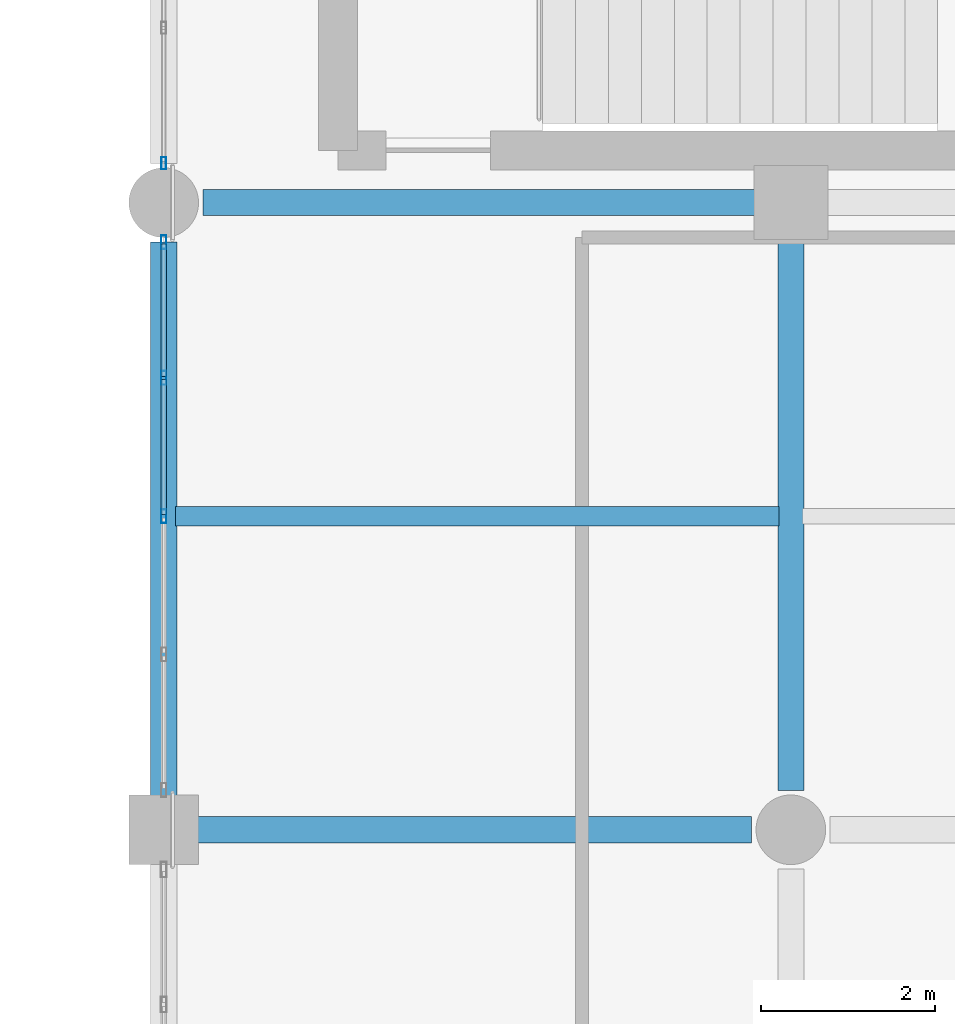
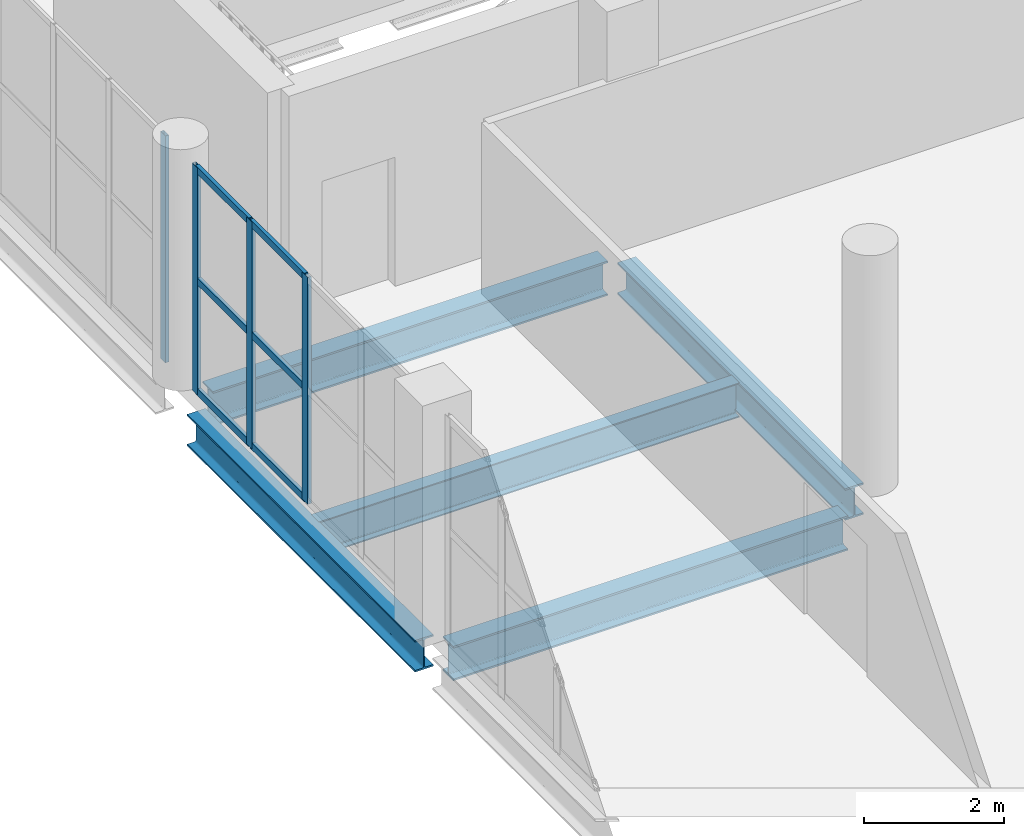
# One storey, part 80 of 153: 10 members, 5 beams, 2 elements without a shape of their own.
"""IFC4 building model written with IfcOpenShell, lengths in metres."""

from ifc_helpers import new_model, si_unit, direction, frame, origin, origin_2d, place, context, subcontext, project, spatial, hollow_rectangle, i_section, extrude, material, material_profile, profile_set, type_object, element, aggregate, save


model = new_model("IFC4")

# Units and contexts
model_context = context("Model", 3, precision=1e-05, world=origin(), true_north=direction((0.0, 1.0)))
body_context = subcontext(model_context, "Body", "Model", "MODEL_VIEW")
ifc_project = project(units=[si_unit("LENGTHUNIT", "METRE"), si_unit("AREAUNIT", "SQUARE_METRE"), si_unit("VOLUMEUNIT", "CUBIC_METRE"), si_unit("PLANEANGLEUNIT", "RADIAN"), si_unit("MASSUNIT", "GRAM", prefix="KILO")], contexts=[model_context])

# Site, building, storey
site_placement = place(None, origin())
site = spatial("IfcSite", under=ifc_project, at=site_placement, CompositionType="ELEMENT")
building_placement = place(site_placement, origin())
building = spatial("IfcBuilding", under=site, at=building_placement, Name="Qandorah Velis Arena", CompositionType="ELEMENT")
storey_placement = place(building_placement, frame((0.0, 0.0, 5.39990234375)))
storey = spatial("IfcBuildingStorey", under=building, at=storey_placement, Name="L01", CompositionType="ELEMENT", Elevation=5.39990234375)

# Curtain wall, member
ifc_material_1 = material(Name="Solar-control low-E double glazing", Category="glass")
curtain_wall_type_1 = type_object("IfcCurtainWallType", Name="ARC-CW-SYS04", PredefinedType="USERDEFINED", material=ifc_material_1)
curtain_wall_1_placement = place(storey_placement, origin())
curtain_wall_1 = element("IfcCurtainWall", 1, at=curtain_wall_1_placement, inside=storey, type_object=curtain_wall_type_1, Name="Unitised curtain wall L01-124", ObjectType="UNITISED CURTAIN WALL", PredefinedType="USERDEFINED")
ifc_material_2 = material(Name="Champagne-bronze anodized aluminium 6063-T6", Category="aluminium")
ifc_material_profile_1 = material_profile(ifc_material_2, hollow_rectangle(XDim=0.054931640625, YDim=0.139892578125, WallThickness=0.0029296875, at=origin_2d()), Name="ALU MULLION 55x140")
ifc_profile_set_1 = profile_set([ifc_material_profile_1], Name="Champagne-bronze anodized aluminium 6063-T6")
member_type_1 = type_object("IfcMemberType", Name="ARC-CWM-140", PredefinedType="MULLION", material=ifc_profile_set_1)
member_1_placement = place(storey_placement, frame((151.199951171875, 79.652587890625, -0.014892578125), z_axis=(0.0, 0.0, 1.0), x_axis=(-1.0, 0.0, 0.0)))
member_1 = element("IfcMember", 2, at=member_1_placement, type_object=member_type_1, Name="CW04 mullion 1", PredefinedType="MULLION", context=body_context, shape_type="SweptSolid", body=[
    extrude(hollow_rectangle(XDim=0.054931640625, YDim=0.139892578125, WallThickness=0.0029296875, at=origin_2d()), origin(), (0.0, 0.0, 1.0), 3.949951171875),
])
aggregate(curtain_wall_1, [member_1])

# Curtain wall, members
curtain_wall_type_2 = type_object("IfcCurtainWallType", Name="ARC-CW-SYS03", PredefinedType="USERDEFINED", material=ifc_material_1)
curtain_wall_2_placement = place(storey_placement, origin())
curtain_wall_2 = element("IfcCurtainWall", 3, at=curtain_wall_2_placement, inside=storey, type_object=curtain_wall_type_2, Name="Unitised curtain wall L01-123", ObjectType="UNITISED CURTAIN WALL", PredefinedType="USERDEFINED")
ifc_material_profile_2 = material_profile(ifc_material_2, hollow_rectangle(XDim=0.06005859375, YDim=0.159912109375, WallThickness=0.00341796875, at=origin_2d()), Name="ALU MULLION 60x160")
ifc_profile_set_2 = profile_set([ifc_material_profile_2], Name="Champagne-bronze anodized aluminium 6063-T6")
member_type_2 = type_object("IfcMemberType", Name="ARC-CWM-160", PredefinedType="MULLION", material=ifc_profile_set_2)
member_2_placement = place(storey_placement, frame((151.199951171875, 75.60009765625, -0.014892578125), z_axis=(0.0, 0.0, 1.0), x_axis=(-1.0, 0.0, 0.0)))
member_2 = element("IfcMember", 4, at=member_2_placement, type_object=member_type_2, Name="CW03 mullion 3", PredefinedType="MULLION", context=body_context, shape_type="SweptSolid", body=[
    extrude(hollow_rectangle(XDim=0.06005859375, YDim=0.159912109375, WallThickness=0.00341796875, at=origin_2d()), origin(), (0.0, 0.0, 1.0), 3.949951171875),
])
member_3_placement = place(storey_placement, frame((151.199951171875, 77.1875, -0.014892578125), z_axis=(0.0, 0.0, 1.0), x_axis=(-1.0, 0.0, 0.0)))
member_3 = element("IfcMember", 5, at=member_3_placement, type_object=member_type_2, Name="CW03 mullion 4", PredefinedType="MULLION", context=body_context, shape_type="SweptSolid", body=[
    extrude(hollow_rectangle(XDim=0.06005859375, YDim=0.159912109375, WallThickness=0.00341796875, at=origin_2d()), origin(), (0.0, 0.0, 1.0), 3.949951171875),
])
member_4_placement = place(storey_placement, frame((151.199951171875, 78.7451171875, -0.014892578125), z_axis=(0.0, 0.0, 1.0), x_axis=(-1.0, 0.0, 0.0)))
member_4 = element("IfcMember", 6, at=member_4_placement, type_object=member_type_2, Name="CW03 mullion 5", PredefinedType="MULLION", context=body_context, shape_type="SweptSolid", body=[
    extrude(hollow_rectangle(XDim=0.06005859375, YDim=0.159912109375, WallThickness=0.00341796875, at=origin_2d()), origin(), (0.0, 0.0, 1.0), 3.949951171875),
])
ifc_material_profile_3 = material_profile(ifc_material_2, hollow_rectangle(XDim=0.06005859375, YDim=0.1201171875, WallThickness=0.0029296875, at=origin_2d()), Name="ALU TRANSOM 60x120")
ifc_profile_set_3 = profile_set([ifc_material_profile_3], Name="Champagne-bronze anodized aluminium 6063-T6")
member_type_3 = type_object("IfcMemberType", Name="ARC-CWT-120", PredefinedType="USERDEFINED", material=ifc_profile_set_3)
member_5_placement = place(storey_placement, frame((151.199951171875, 75.617919921875, 0.030029296875), z_axis=(0.0, 1.0, 0.0), x_axis=(-1.0, 0.0, 0.0)))
member_5 = element("IfcMember", 7, at=member_5_placement, type_object=member_type_3, Name="CW03 transom 3.1", ObjectType="TRANSOM", PredefinedType="USERDEFINED", context=body_context, shape_type="SweptSolid", body=[
    extrude(hollow_rectangle(XDim=0.06005859375, YDim=0.1201171875, WallThickness=0.0029296875, at=origin_2d()), origin(), (0.0, 0.0, 1.0), 1.551513671875),
])
member_6_placement = place(storey_placement, frame((151.199951171875, 75.617919921875, 1.960205078125), z_axis=(0.0, 1.0, 0.0), x_axis=(-1.0, 0.0, 0.0)))
member_6 = element("IfcMember", 8, at=member_6_placement, type_object=member_type_3, Name="CW03 transom 3.2", ObjectType="TRANSOM", PredefinedType="USERDEFINED", context=body_context, shape_type="SweptSolid", body=[
    extrude(hollow_rectangle(XDim=0.06005859375, YDim=0.1201171875, WallThickness=0.0029296875, at=origin_2d()), origin(), (0.0, 0.0, 1.0), 1.551513671875),
])
member_7_placement = place(storey_placement, frame((151.199951171875, 75.617919921875, 3.89013671875), z_axis=(0.0, 1.0, 0.0), x_axis=(-1.0, 0.0, 0.0)))
member_7 = element("IfcMember", 9, at=member_7_placement, type_object=member_type_3, Name="CW03 transom 3.3", ObjectType="TRANSOM", PredefinedType="USERDEFINED", context=body_context, shape_type="SweptSolid", body=[
    extrude(hollow_rectangle(XDim=0.06005859375, YDim=0.1201171875, WallThickness=0.0029296875, at=origin_2d()), origin(), (0.0, 0.0, 1.0), 1.551513671875),
])
member_8_placement = place(storey_placement, frame((151.199951171875, 77.20556640625, 0.030029296875), z_axis=(0.0, 1.0, 0.0), x_axis=(-1.0, 0.0, 0.0)))
member_8 = element("IfcMember", 10, at=member_8_placement, type_object=member_type_3, Name="CW03 transom 4.1", ObjectType="TRANSOM", PredefinedType="USERDEFINED", context=body_context, shape_type="SweptSolid", body=[
    extrude(hollow_rectangle(XDim=0.06005859375, YDim=0.1201171875, WallThickness=0.0029296875, at=origin_2d()), origin(), (0.0, 0.0, 1.0), 1.521484375),
])
member_9_placement = place(storey_placement, frame((151.199951171875, 77.20556640625, 1.960205078125), z_axis=(0.0, 1.0, 0.0), x_axis=(-1.0, 0.0, 0.0)))
member_9 = element("IfcMember", 11, at=member_9_placement, type_object=member_type_3, Name="CW03 transom 4.2", ObjectType="TRANSOM", PredefinedType="USERDEFINED", context=body_context, shape_type="SweptSolid", body=[
    extrude(hollow_rectangle(XDim=0.06005859375, YDim=0.1201171875, WallThickness=0.0029296875, at=origin_2d()), origin(), (0.0, 0.0, 1.0), 1.521484375),
])
member_10_placement = place(storey_placement, frame((151.199951171875, 77.20556640625, 3.89013671875), z_axis=(0.0, 1.0, 0.0), x_axis=(-1.0, 0.0, 0.0)))
member_10 = element("IfcMember", 12, at=member_10_placement, type_object=member_type_3, Name="CW03 transom 4.3", ObjectType="TRANSOM", PredefinedType="USERDEFINED", context=body_context, shape_type="SweptSolid", body=[
    extrude(hollow_rectangle(XDim=0.06005859375, YDim=0.1201171875, WallThickness=0.0029296875, at=origin_2d()), origin(), (0.0, 0.0, 1.0), 1.521484375),
])
aggregate(curtain_wall_2, [member_2, member_3, member_4, member_5, member_6, member_7, member_8, member_9, member_10])

# Beams
ifc_material_3 = material(Name="Steel S355", Category="steel")
ifc_material_profile_4 = material_profile(ifc_material_3, i_section(OverallWidth=0.300048828125, OverallDepth=0.550048828125, WebThickness=0.014892578125, FlangeThickness=0.029052734375, FilletRadius=0.027099609375, at=origin_2d()), Name="HEB 550")
ifc_profile_set_4 = profile_set([ifc_material_profile_4], Name="Steel S355")
beam_type_1 = type_object("IfcBeamType", Name="STR-BM-HEB550", PredefinedType="BEAM", material=ifc_profile_set_4)
for number, where, z_axis, x_axis, name in (
    (13, (151.199951171875, 72.25, -0.635009765625), (0.0, 1.0, 0.0), (-1.0, 0.0, 0.0), "Primary floor girder L01 Y-411"),
    (14, (158.39990234375, 72.449951171875, -0.635009765625), (0.0, 1.0, 0.0), (-1.0, 0.0, 0.0), "Primary floor girder L01 Y-415"),
):
    element("IfcBeam", number, at=place(storey_placement, frame(where, z_axis=z_axis, x_axis=x_axis)), inside=storey, type_object=beam_type_1, Name=name, PredefinedType="BEAM", context=body_context, shape_type="SweptSolid", body=[
        extrude(i_section(OverallWidth=0.300048828125, OverallDepth=0.550048828125, WebThickness=0.014892578125, FlangeThickness=0.029052734375, FilletRadius=0.027099609375, at=origin_2d()), origin(), (0.0, 0.0, 1.0), 6.5),
    ])
ifc_material_profile_5 = material_profile(ifc_material_3, i_section(OverallWidth=0.300048828125, OverallDepth=0.60009765625, WebThickness=0.015380859375, FlangeThickness=0.030029296875, FilletRadius=0.027099609375, at=origin_2d()), Name="HEB 600")
ifc_profile_set_5 = profile_set([ifc_material_profile_5], Name="Steel S355")
beam_type_2 = type_object("IfcBeamType", Name="STR-BM-HEB600", PredefinedType="BEAM", material=ifc_profile_set_5)
for number, where, z_axis, x_axis, name in (
    (15, (151.449951171875, 72.0, -0.659912109375), (1.0, 0.0, 0.0), (0.0, 1.0, 0.0), "Primary floor girder L01 X-120"),
    (16, (151.64990234375, 79.199951171875, -0.659912109375), (1.0, 0.0, 0.0), (0.0, 1.0, 0.0), "Primary floor girder L01 X-127"),
):
    element("IfcBeam", number, at=place(storey_placement, frame(where, z_axis=z_axis, x_axis=x_axis)), inside=storey, type_object=beam_type_2, Name=name, PredefinedType="BEAM", context=body_context, shape_type="SweptSolid", body=[
        extrude(i_section(OverallWidth=0.300048828125, OverallDepth=0.60009765625, WebThickness=0.015380859375, FlangeThickness=0.030029296875, FilletRadius=0.027099609375, at=origin_2d()), origin(), (0.0, 0.0, 1.0), 6.5),
    ])
ifc_material_profile_6 = material_profile(ifc_material_3, i_section(OverallWidth=0.219970703125, OverallDepth=0.60009765625, WebThickness=0.011962890625, FlangeThickness=0.01904296875, FilletRadius=0.02392578125, at=origin_2d()), Name="IPE 600")
ifc_profile_set_6 = profile_set([ifc_material_profile_6], Name="Steel S355")
beam_type_3 = type_object("IfcBeamType", Name="STR-JST-IPE600", PredefinedType="JOIST", material=ifc_profile_set_6)
beam_placement = place(storey_placement, frame((151.3349609375, 75.60009765625, -0.659912109375), z_axis=(1.0, 0.0, 0.0), x_axis=(0.0, 1.0, 0.0)))
element("IfcBeam", 17, at=beam_placement, inside=storey, type_object=beam_type_3, Name="Secondary floor joist L01-148", PredefinedType="JOIST", context=body_context, shape_type="SweptSolid", body=[
    extrude(i_section(OverallWidth=0.219970703125, OverallDepth=0.60009765625, WebThickness=0.011962890625, FlangeThickness=0.01904296875, FilletRadius=0.02392578125, at=origin_2d()), origin(), (0.0, 0.0, 1.0), 6.929931640625),
])

save(model, "model.ifc")
